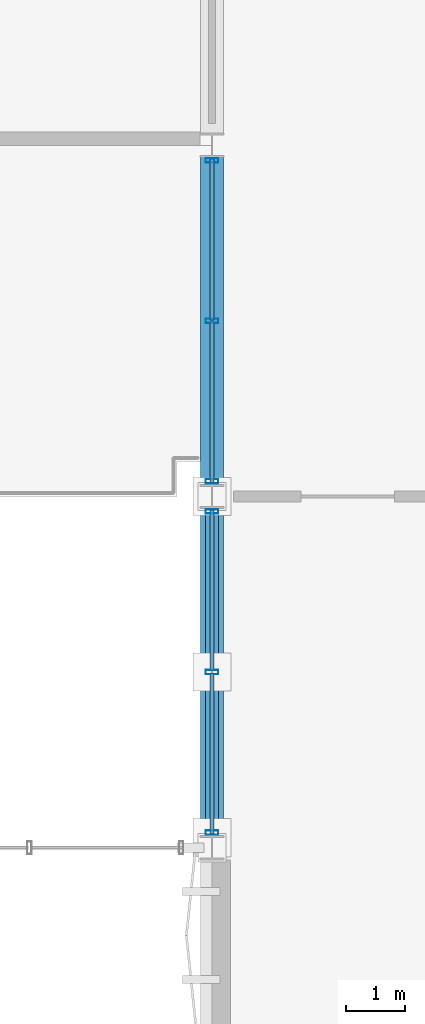
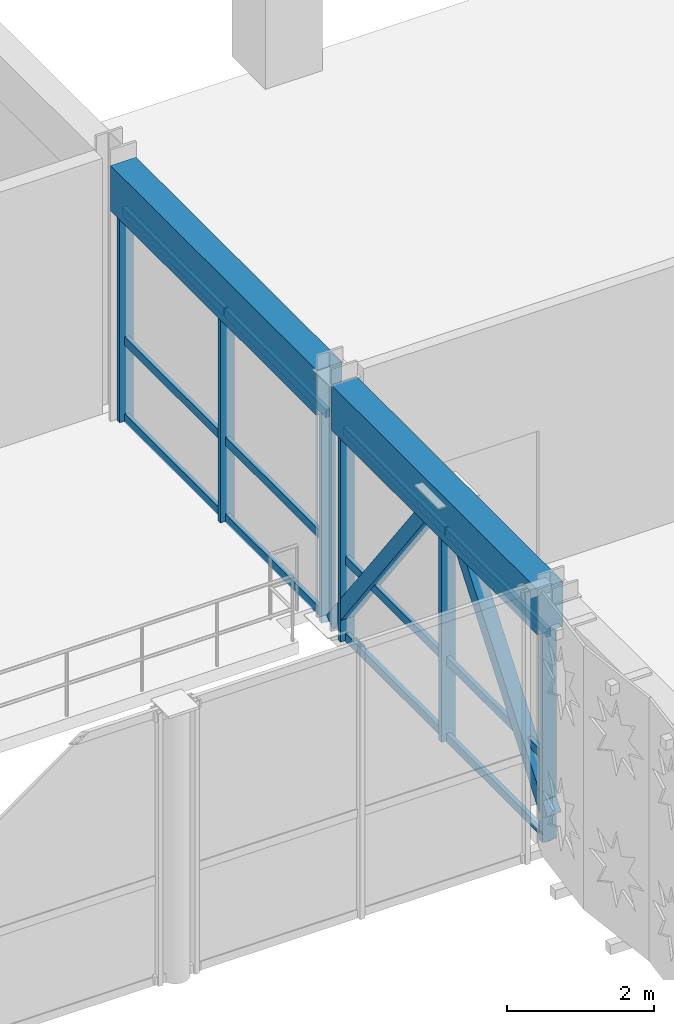
# One storey, part 21 of 116: 20 members, 2 beams, 2 elements without a shape of their own.
"""IFC4 building model written with IfcOpenShell, lengths in metres."""

from ifc_helpers import new_model, si_unit, direction, frame, origin, origin_2d, place, context, subcontext, project, spatial, rectangle, hollow_rectangle, extrude, material, material_profile, profile_set, type_object, element, aggregate, save


model = new_model("IFC4")

# Units and contexts
model_context = context("Model", 3, precision=1e-05, world=origin(), true_north=direction((0.0, 1.0)))
body_context = subcontext(model_context, "Body", "Model", "MODEL_VIEW")
ifc_project = project(units=[si_unit("LENGTHUNIT", "METRE"), si_unit("AREAUNIT", "SQUARE_METRE"), si_unit("VOLUMEUNIT", "CUBIC_METRE"), si_unit("PLANEANGLEUNIT", "RADIAN"), si_unit("MASSUNIT", "GRAM", prefix="KILO"), si_unit("THERMODYNAMICTEMPERATUREUNIT", "KELVIN"), si_unit("POWERUNIT", "WATT")], contexts=[model_context])

# Site, building, storey
site_placement = place(None, origin())
site = spatial("IfcSite", under=ifc_project, at=site_placement, CompositionType="ELEMENT")
building_placement = place(site_placement, origin())
building = spatial("IfcBuilding", under=site, at=building_placement, Name="Phaisarnlok Congress Hotel", CompositionType="ELEMENT")
storey_placement = place(building_placement, frame((0.0, 0.0, 10.5)))
storey = spatial("IfcBuildingStorey", under=building, at=storey_placement, Name="L02", CompositionType="ELEMENT", Elevation=10.5)

# Curtain wall, members
ifc_material_1 = material(Name="Thermally Broken Unitised Aluminium & Low-E Glazing", Category="aluminium")
curtain_wall_type = type_object("IfcCurtainWallType", Name="CW-UNIT-23", PredefinedType="NOTDEFINED", material=ifc_material_1)
curtain_wall_1_placement = place(storey_placement, origin())
curtain_wall_1 = element("IfcCurtainWall", 1, at=curtain_wall_1_placement, inside=storey, type_object=curtain_wall_type, Name="Unitised curtain wall CW-23 (L02)", PredefinedType="NOTDEFINED")
ifc_material_2 = material(Name="Anodised Aluminium Alloy 6063-T6", Category="aluminium")
ifc_material_profile_1 = material_profile(ifc_material_2, hollow_rectangle(XDim=0.074951171875, YDim=0.219970703125, WallThickness=0.0048828125, at=origin_2d()), Name="ALU-M 75x220x5")
ifc_profile_set_1 = profile_set([ifc_material_profile_1], Name="Anodised Aluminium Alloy 6063-T6")
member_type_1 = type_object("IfcMemberType", Name="CWM-220", PredefinedType="MULLION", material=ifc_profile_set_1)
member_1_placement = place(storey_placement, frame((96.0, 29.741943359375, 0.0), z_axis=(0.0, 0.0, 1.0), x_axis=(0.0, -1.0, 0.0)))
member_1 = element("IfcMember", 2, at=member_1_placement, type_object=member_type_1, Name="Curtain wall mullion CWM-02", PredefinedType="MULLION", context=body_context, shape_type="SweptSolid", body=[
    extrude(hollow_rectangle(XDim=0.074951171875, YDim=0.219970703125, WallThickness=0.0048828125, at=origin_2d()), origin(), (0.0, 0.0, 1.0), 3.489990234375),
])
member_2_placement = place(storey_placement, frame((96.0, 27.0, 0.0), z_axis=(0.0, 0.0, 1.0), x_axis=(0.0, -1.0, 0.0)))
member_2 = element("IfcMember", 3, at=member_2_placement, type_object=member_type_1, Name="Curtain wall mullion CWM-02", PredefinedType="MULLION", context=body_context, shape_type="SweptSolid", body=[
    extrude(hollow_rectangle(XDim=0.074951171875, YDim=0.219970703125, WallThickness=0.0048828125, at=origin_2d()), origin(), (0.0, 0.0, 1.0), 3.489990234375),
])
member_3_placement = place(storey_placement, frame((96.0, 24.258056640625, 0.0), z_axis=(0.0, 0.0, 1.0), x_axis=(0.0, -1.0, 0.0)))
member_3 = element("IfcMember", 4, at=member_3_placement, type_object=member_type_1, Name="Curtain wall mullion CWM-02", PredefinedType="MULLION", context=body_context, shape_type="SweptSolid", body=[
    extrude(hollow_rectangle(XDim=0.074951171875, YDim=0.219970703125, WallThickness=0.0048828125, at=origin_2d()), origin(), (0.0, 0.0, 1.0), 3.489990234375),
])

curtain_wall_2_placement = place(storey_placement, origin())
curtain_wall_2 = element("IfcCurtainWall", 5, at=curtain_wall_2_placement, inside=storey, type_object=curtain_wall_type, Name="Unitised curtain wall CW-23 (L02)", PredefinedType="NOTDEFINED")
member_4_placement = place(storey_placement, frame((96.0, 23.741943359375, 0.0), z_axis=(0.0, 0.0, 1.0), x_axis=(0.0, -1.0, 0.0)))
member_4 = element("IfcMember", 6, at=member_4_placement, type_object=member_type_1, Name="Curtain wall mullion CWM-02", PredefinedType="MULLION", context=body_context, shape_type="SweptSolid", body=[
    extrude(hollow_rectangle(XDim=0.074951171875, YDim=0.219970703125, WallThickness=0.0048828125, at=origin_2d()), origin(), (0.0, 0.0, 1.0), 3.489990234375),
])
member_5_placement = place(storey_placement, frame((96.0, 21.0, 0.0), z_axis=(0.0, 0.0, 1.0), x_axis=(0.0, -1.0, 0.0)))
member_5 = element("IfcMember", 7, at=member_5_placement, type_object=member_type_1, Name="Curtain wall mullion CWM-02", PredefinedType="MULLION", context=body_context, shape_type="SweptSolid", body=[
    extrude(hollow_rectangle(XDim=0.074951171875, YDim=0.219970703125, WallThickness=0.0048828125, at=origin_2d()), origin(), (0.0, 0.0, 1.0), 3.489990234375),
])
member_6_placement = place(storey_placement, frame((96.0, 18.258056640625, 0.0), z_axis=(0.0, 0.0, 1.0), x_axis=(0.0, -1.0, 0.0)))
member_6 = element("IfcMember", 8, at=member_6_placement, type_object=member_type_1, Name="Curtain wall mullion CWM-02", PredefinedType="MULLION", context=body_context, shape_type="SweptSolid", body=[
    extrude(hollow_rectangle(XDim=0.074951171875, YDim=0.219970703125, WallThickness=0.0048828125, at=origin_2d()), origin(), (0.0, 0.0, 1.0), 3.489990234375),
])

# Member
ifc_material_profile_2 = material_profile(ifc_material_2, hollow_rectangle(XDim=0.06494140625, YDim=0.139892578125, WallThickness=0.00390625, at=origin_2d()), Name="ALU-T 65x140x4")
ifc_profile_set_2 = profile_set([ifc_material_profile_2], Name="Anodised Aluminium Alloy 6063-T6")
member_type_2 = type_object("IfcMemberType", Name="CWT-150", PredefinedType="USERDEFINED", material=ifc_profile_set_2)
member_7_placement = place(storey_placement, frame((96.0, 29.76708984375, 0.050048828125), z_axis=(0.0, -1.0, 0.0), x_axis=(1.0, 0.0, 0.0)))
member_7 = element("IfcMember", 9, at=member_7_placement, type_object=member_type_2, Name="Curtain wall transom CWT-01", ObjectType="TRANSOM", PredefinedType="USERDEFINED", context=body_context, shape_type="SweptSolid", body=[
    extrude(hollow_rectangle(XDim=0.06494140625, YDim=0.139892578125, WallThickness=0.00390625, at=origin_2d()), origin(), (0.0, 0.0, 1.0), 2.752197265625),
])

member_8_placement = place(storey_placement, frame((96.0, 29.76708984375, 1.326171875), z_axis=(0.0, -1.0, 0.0), x_axis=(1.0, 0.0, 0.0)))
member_8 = element("IfcMember", 10, at=member_8_placement, type_object=member_type_2, Name="Curtain wall transom CWT-01", ObjectType="TRANSOM", PredefinedType="USERDEFINED", context=body_context, shape_type="SweptSolid", body=[
    extrude(hollow_rectangle(XDim=0.06494140625, YDim=0.139892578125, WallThickness=0.00390625, at=origin_2d()), origin(), (0.0, 0.0, 1.0), 2.752197265625),
])

member_9_placement = place(storey_placement, frame((96.0, 29.76708984375, 3.43994140625), z_axis=(0.0, -1.0, 0.0), x_axis=(1.0, 0.0, 0.0)))
member_9 = element("IfcMember", 11, at=member_9_placement, type_object=member_type_2, Name="Curtain wall transom CWT-01", ObjectType="TRANSOM", PredefinedType="USERDEFINED", context=body_context, shape_type="SweptSolid", body=[
    extrude(hollow_rectangle(XDim=0.06494140625, YDim=0.139892578125, WallThickness=0.00390625, at=origin_2d()), origin(), (0.0, 0.0, 1.0), 2.752197265625),
])

member_10_placement = place(storey_placement, frame((96.0, 26.985107421875, 0.050048828125), z_axis=(0.0, -1.0, 0.0), x_axis=(1.0, 0.0, 0.0)))
member_10 = element("IfcMember", 12, at=member_10_placement, type_object=member_type_2, Name="Curtain wall transom CWT-01", ObjectType="TRANSOM", PredefinedType="USERDEFINED", context=body_context, shape_type="SweptSolid", body=[
    extrude(hollow_rectangle(XDim=0.06494140625, YDim=0.139892578125, WallThickness=0.00390625, at=origin_2d()), origin(), (0.0, 0.0, 1.0), 2.752197265625),
])

member_11_placement = place(storey_placement, frame((96.0, 26.985107421875, 1.326171875), z_axis=(0.0, -1.0, 0.0), x_axis=(1.0, 0.0, 0.0)))
member_11 = element("IfcMember", 13, at=member_11_placement, type_object=member_type_2, Name="Curtain wall transom CWT-01", ObjectType="TRANSOM", PredefinedType="USERDEFINED", context=body_context, shape_type="SweptSolid", body=[
    extrude(hollow_rectangle(XDim=0.06494140625, YDim=0.139892578125, WallThickness=0.00390625, at=origin_2d()), origin(), (0.0, 0.0, 1.0), 2.752197265625),
])

member_12_placement = place(storey_placement, frame((96.0, 26.985107421875, 3.43994140625), z_axis=(0.0, -1.0, 0.0), x_axis=(1.0, 0.0, 0.0)))
member_12 = element("IfcMember", 14, at=member_12_placement, type_object=member_type_2, Name="Curtain wall transom CWT-01", ObjectType="TRANSOM", PredefinedType="USERDEFINED", context=body_context, shape_type="SweptSolid", body=[
    extrude(hollow_rectangle(XDim=0.06494140625, YDim=0.139892578125, WallThickness=0.00390625, at=origin_2d()), origin(), (0.0, 0.0, 1.0), 2.752197265625),
])

aggregate(curtain_wall_1, [member_1, member_2, member_3, member_7, member_8, member_9, member_10, member_11, member_12])

member_13_placement = place(storey_placement, frame((96.0, 23.76708984375, 0.050048828125), z_axis=(0.0, -1.0, 0.0), x_axis=(1.0, 0.0, 0.0)))
member_13 = element("IfcMember", 15, at=member_13_placement, type_object=member_type_2, Name="Curtain wall transom CWT-01", ObjectType="TRANSOM", PredefinedType="USERDEFINED", context=body_context, shape_type="SweptSolid", body=[
    extrude(hollow_rectangle(XDim=0.06494140625, YDim=0.139892578125, WallThickness=0.00390625, at=origin_2d()), origin(), (0.0, 0.0, 1.0), 2.752197265625),
])

member_14_placement = place(storey_placement, frame((96.0, 23.76708984375, 1.326171875), z_axis=(0.0, -1.0, 0.0), x_axis=(1.0, 0.0, 0.0)))
member_14 = element("IfcMember", 16, at=member_14_placement, type_object=member_type_2, Name="Curtain wall transom CWT-01", ObjectType="TRANSOM", PredefinedType="USERDEFINED", context=body_context, shape_type="SweptSolid", body=[
    extrude(hollow_rectangle(XDim=0.06494140625, YDim=0.139892578125, WallThickness=0.00390625, at=origin_2d()), origin(), (0.0, 0.0, 1.0), 2.752197265625),
])

member_15_placement = place(storey_placement, frame((96.0, 23.76708984375, 3.43994140625), z_axis=(0.0, -1.0, 0.0), x_axis=(1.0, 0.0, 0.0)))
member_15 = element("IfcMember", 17, at=member_15_placement, type_object=member_type_2, Name="Curtain wall transom CWT-01", ObjectType="TRANSOM", PredefinedType="USERDEFINED", context=body_context, shape_type="SweptSolid", body=[
    extrude(hollow_rectangle(XDim=0.06494140625, YDim=0.139892578125, WallThickness=0.00390625, at=origin_2d()), origin(), (0.0, 0.0, 1.0), 2.752197265625),
])

member_16_placement = place(storey_placement, frame((96.0, 20.985107421875, 0.050048828125), z_axis=(0.0, -1.0, 0.0), x_axis=(1.0, 0.0, 0.0)))
member_16 = element("IfcMember", 18, at=member_16_placement, type_object=member_type_2, Name="Curtain wall transom CWT-01", ObjectType="TRANSOM", PredefinedType="USERDEFINED", context=body_context, shape_type="SweptSolid", body=[
    extrude(hollow_rectangle(XDim=0.06494140625, YDim=0.139892578125, WallThickness=0.00390625, at=origin_2d()), origin(), (0.0, 0.0, 1.0), 2.752197265625),
])

member_17_placement = place(storey_placement, frame((96.0, 20.985107421875, 1.326171875), z_axis=(0.0, -1.0, 0.0), x_axis=(1.0, 0.0, 0.0)))
member_17 = element("IfcMember", 19, at=member_17_placement, type_object=member_type_2, Name="Curtain wall transom CWT-01", ObjectType="TRANSOM", PredefinedType="USERDEFINED", context=body_context, shape_type="SweptSolid", body=[
    extrude(hollow_rectangle(XDim=0.06494140625, YDim=0.139892578125, WallThickness=0.00390625, at=origin_2d()), origin(), (0.0, 0.0, 1.0), 2.752197265625),
])

member_18_placement = place(storey_placement, frame((96.0, 20.985107421875, 3.43994140625), z_axis=(0.0, -1.0, 0.0), x_axis=(1.0, 0.0, 0.0)))
member_18 = element("IfcMember", 20, at=member_18_placement, type_object=member_type_2, Name="Curtain wall transom CWT-01", ObjectType="TRANSOM", PredefinedType="USERDEFINED", context=body_context, shape_type="SweptSolid", body=[
    extrude(hollow_rectangle(XDim=0.06494140625, YDim=0.139892578125, WallThickness=0.00390625, at=origin_2d()), origin(), (0.0, 0.0, 1.0), 2.752197265625),
])

aggregate(curtain_wall_2, [member_4, member_5, member_6, member_13, member_14, member_15, member_16, member_17, member_18])

# Members
ifc_material_3 = material(Name="Steel S355", Category="steel")
ifc_material_profile_3 = material_profile(ifc_material_3, hollow_rectangle(XDim=0.219970703125, YDim=0.219970703125, WallThickness=0.012451171875, at=origin_2d()), Name="SHS 220x220x12.5")
ifc_profile_set_3 = profile_set([ifc_material_profile_3], Name="Steel S355")
member_type_3 = type_object("IfcMemberType", Name="MEM-BRC-SHS220", PredefinedType="BRACE", material=ifc_profile_set_3)
member_19_placement = place(storey_placement, frame((96.0, 18.169921875, 0.449951171875), z_axis=(0.0, 0.610642091985, 0.791906708834), x_axis=(-1.0, 0.0, 0.0)))
element("IfcMember", 21, at=member_19_placement, inside=storey, type_object=member_type_3, Name="Lateral braced frame diagonal", PredefinedType="BRACE", context=body_context, shape_type="SweptSolid", body=[
    extrude(hollow_rectangle(XDim=0.219970703125, YDim=0.219970703125, WallThickness=0.012451171875, at=origin_2d()), origin(), (0.0, 0.0, 1.0), 4.634521484375),
])
member_20_placement = place(storey_placement, frame((96.0, 24.0, 0.14990234375), z_axis=(0.0, -0.602869179166, 0.797840054655), x_axis=(1.0, 0.0, 0.0)))
element("IfcMember", 22, at=member_20_placement, inside=storey, type_object=member_type_3, Name="Lateral braced frame diagonal", PredefinedType="BRACE", context=body_context, shape_type="SweptSolid", body=[
    extrude(hollow_rectangle(XDim=0.219970703125, YDim=0.219970703125, WallThickness=0.012451171875, at=origin_2d()), origin(), (0.0, 0.0, 1.0), 4.976318359375),
])

# Beams
ifc_material_4 = material(Name="Concrete C40/50", Category="concrete")
ifc_material_profile_4 = material_profile(ifc_material_4, rectangle(XDim=0.39990234375, YDim=0.75, at=origin_2d()), Name="RC 400x750")
ifc_profile_set_4 = profile_set([ifc_material_profile_4], Name="Concrete C40/50")
beam_type = type_object("IfcBeamType", Name="SP-RC-400x750", PredefinedType="SPANDREL", material=ifc_profile_set_4)
for number, where, z_axis, x_axis, name in (
    (23, (96.0, 18.202880859375, 3.864990234375), (0.0, 1.0, 0.0), (-1.0, 0.0, 0.0), "Beam SP-02"),
    (24, (96.0, 24.202880859375, 3.864990234375), (0.0, 1.0, 0.0), (-1.0, 0.0, 0.0), "Beam SP-02"),
):
    element("IfcBeam", number, at=place(storey_placement, frame(where, z_axis=z_axis, x_axis=x_axis)), inside=storey, type_object=beam_type, Name=name, PredefinedType="SPANDREL", context=body_context, shape_type="SweptSolid", body=[
        extrude(rectangle(XDim=0.39990234375, YDim=0.75, at=origin_2d()), origin(), (0.0, 0.0, 1.0), 5.59423828125),
    ])

save(model, "model.ifc")
